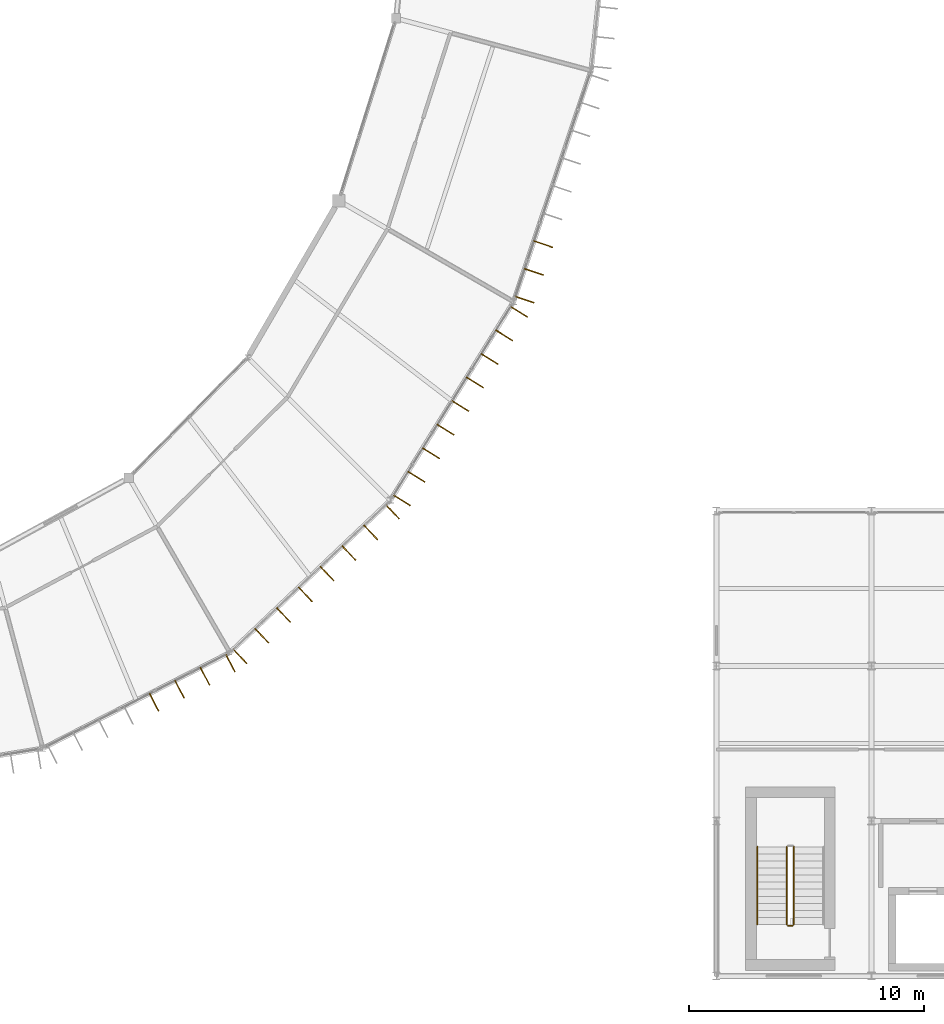
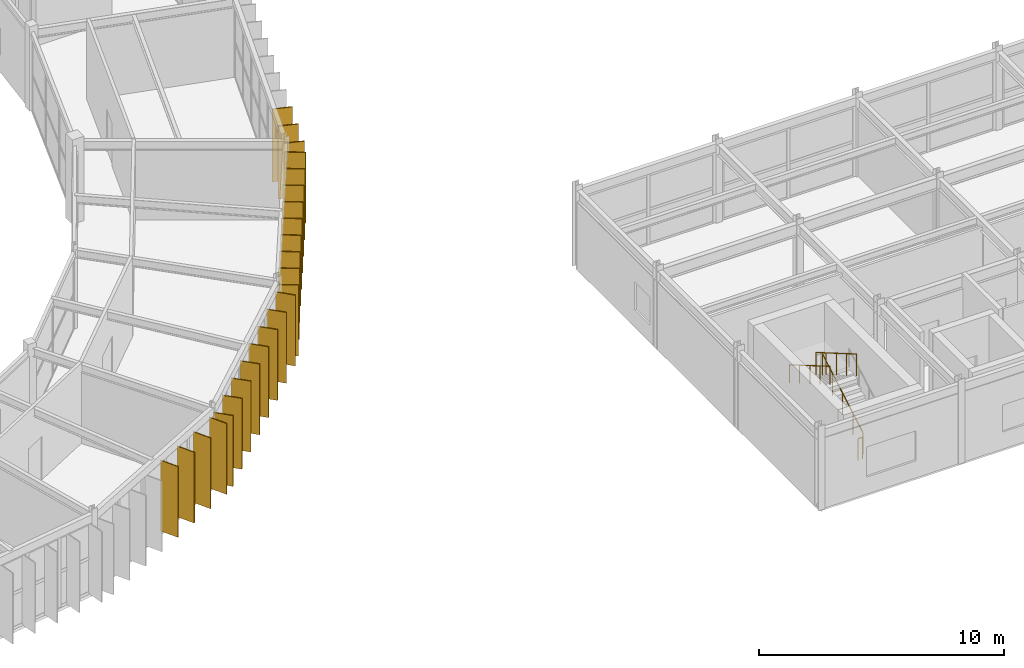
# One storey, part 100 of 106: 24 shading devices, 4 railings.
"""IFC4 building model written with IfcOpenShell, lengths in metres."""

from ifc_helpers import new_model, si_unit, direction, frame, origin, origin_2d, place, context, subcontext, project, spatial, rectangle, circle, extrude, material, layer, layer_set, type_object, element, save


model = new_model("IFC4")

# Units and contexts
model_context = context("Model", 3, precision=1e-05, world=origin(), true_north=direction((0.0, 1.0)))
body_context = subcontext(model_context, "Body", "Model", "MODEL_VIEW")
ifc_project = project(units=[si_unit("LENGTHUNIT", "METRE"), si_unit("AREAUNIT", "SQUARE_METRE"), si_unit("VOLUMEUNIT", "CUBIC_METRE"), si_unit("PLANEANGLEUNIT", "RADIAN"), si_unit("MASSUNIT", "GRAM", prefix="KILO")], contexts=[model_context])

# Site, building, storey
site_placement = place(None, origin())
site = spatial("IfcSite", under=ifc_project, at=site_placement, CompositionType="ELEMENT")
building_placement = place(site_placement, origin())
building = spatial("IfcBuilding", under=site, at=building_placement, Name="Karori Crest Natural Sciences Institute", CompositionType="ELEMENT")
storey_placement = place(building_placement, frame((0.0, 0.0, 25.89990234375)))
storey = spatial("IfcBuildingStorey", under=building, at=storey_placement, Name="L06", CompositionType="ELEMENT", Elevation=25.89990234375)

# Railings
ifc_material_1 = material(Name="Stainless steel 316 tubular handrail", Category="steel")
railing_type_1 = type_object("IfcRailingType", Name="RLT-HND", PredefinedType="HANDRAIL", material=ifc_material_1)
railing_1_placement = place(storey_placement, frame((105.35009765625, 6.300048828125, 2.275146484375)))
element("IfcRailing", 1, at=railing_1_placement, inside=storey, type_object=railing_type_1, Name="Stair handrail RL-0140", PredefinedType="HANDRAIL", context=body_context, shape_type="SweptSolid", body=[
    extrude(circle(Radius=0.02392578125, at=origin_2d()), frame((0.0, 0.0, 0.90087890625), z_axis=(0.0, -0.863776583165, 0.503874998761), x_axis=(1.0, 0.0, 0.0)), (0.0, 0.0, 1.0), 3.820556640625),
    extrude(circle(Radius=0.02099609375, at=origin_2d()), origin(), (0.0, 0.0, 1.0), 0.876953125),
    extrude(circle(Radius=0.02099609375, at=origin_2d()), frame((0.0, -0.824951171875, 0.481201171875)), (0.0, 0.0, 1.0), 0.876953125),
    extrude(circle(Radius=0.02099609375, at=origin_2d()), frame((0.0, -1.64990234375, 0.96240234375)), (0.0, 0.0, 1.0), 0.876953125),
    extrude(circle(Radius=0.02099609375, at=origin_2d()), frame((0.0, -2.47509765625, 1.44384765625)), (0.0, 0.0, 1.0), 0.876953125),
    extrude(circle(Radius=0.02099609375, at=origin_2d()), frame((0.0, -3.300048828125, 1.925048828125)), (0.0, 0.0, 1.0), 0.876953125),
])
ifc_material_2 = material(Name="Stainless steel 316 stair guard", Category="steel")
railing_type_2 = type_object("IfcRailingType", Name="RLT-STG", PredefinedType="GUARDRAIL", material=ifc_material_2)
railing_2_placement = place(storey_placement, frame((106.89990234375, 3.0, 0.175048828125)))
element("IfcRailing", 2, at=railing_2_placement, inside=storey, type_object=railing_type_2, Name="Stair guard RL-0135", PredefinedType="GUARDRAIL", context=body_context, shape_type="SweptSolid", body=[
    extrude(circle(Radius=0.02392578125, at=origin_2d()), frame((0.0, 0.0, 1.076171875), z_axis=(0.0, 0.863776583165, 0.503874998761), x_axis=(-1.0, 0.0, 0.0)), (0.0, 0.0, 1.0), 3.820556640625),
    extrude(circle(Radius=0.02099609375, at=origin_2d()), origin(), (0.0, 0.0, 1.0), 1.052001953125),
    extrude(circle(Radius=0.02099609375, at=origin_2d()), frame((0.0, 0.824951171875, 0.481201171875)), (0.0, 0.0, 1.0), 1.052001953125),
    extrude(circle(Radius=0.02099609375, at=origin_2d()), frame((0.0, 1.64990234375, 0.96240234375)), (0.0, 0.0, 1.0), 1.052001953125),
    extrude(circle(Radius=0.02099609375, at=origin_2d()), frame((0.0, 2.47509765625, 1.44384765625)), (0.0, 0.0, 1.0), 1.052001953125),
    extrude(circle(Radius=0.02099609375, at=origin_2d()), frame((0.0, 3.300048828125, 1.925048828125)), (0.0, 0.0, 1.0), 1.052001953125),
])
railing_3_placement = place(storey_placement, frame((106.60009765625, 6.300048828125, 2.275146484375)))
element("IfcRailing", 3, at=railing_3_placement, inside=storey, type_object=railing_type_2, Name="Stair guard RL-0137", PredefinedType="GUARDRAIL", context=body_context, shape_type="SweptSolid", body=[
    extrude(circle(Radius=0.02392578125, at=origin_2d()), frame((0.0, 0.0, 1.076171875), z_axis=(0.0, -0.863776583165, 0.503874998761), x_axis=(1.0, 0.0, 0.0)), (0.0, 0.0, 1.0), 3.820556640625),
    extrude(circle(Radius=0.02099609375, at=origin_2d()), origin(), (0.0, 0.0, 1.0), 1.052001953125),
    extrude(circle(Radius=0.02099609375, at=origin_2d()), frame((0.0, -0.824951171875, 0.481201171875)), (0.0, 0.0, 1.0), 1.052001953125),
    extrude(circle(Radius=0.02099609375, at=origin_2d()), frame((0.0, -1.64990234375, 0.96240234375)), (0.0, 0.0, 1.0), 1.052001953125),
    extrude(circle(Radius=0.02099609375, at=origin_2d()), frame((0.0, -2.47509765625, 1.44384765625)), (0.0, 0.0, 1.0), 1.052001953125),
    extrude(circle(Radius=0.02099609375, at=origin_2d()), frame((0.0, -3.300048828125, 1.925048828125)), (0.0, 0.0, 1.0), 1.052001953125),
])
railing_4_placement = place(storey_placement, frame((106.85009765625, 2.949951171875, 0.0)))
element("IfcRailing", 4, at=railing_4_placement, inside=storey, type_object=railing_type_2, Name="Stair guard RL-0138", PredefinedType="GUARDRAIL", context=body_context, shape_type="SweptSolid", body=[
    extrude(circle(Radius=0.02392578125, at=origin_2d()), frame((0.0, 0.0, 1.076171875), z_axis=(-1.0, 0.0, 0.0), x_axis=(0.0, -1.0, 0.0)), (0.0, 0.0, 1.0), 0.2001953125),
    extrude(circle(Radius=0.02099609375, at=origin_2d()), origin(), (0.0, 0.0, 1.0), 1.052001953125),
    extrude(circle(Radius=0.02099609375, at=origin_2d()), frame((-0.2001953125, 0.0, 0.0)), (0.0, 0.0, 1.0), 1.052001953125),
])

# Shading devices
ifc_material_3 = material(Name="Anodised architectural aluminium 6063-T6", Category="aluminium")
ifc_layer = layer(ifc_material_3, 0.044921875, Name="Anodised architectural aluminium 6063-T6")
ifc_layer_set = layer_set([ifc_layer], Name="Anodised architectural aluminium 6063-T6")
shading_device_type = type_object("IfcShadingDeviceType", Name="SDT-FIN", PredefinedType="USERDEFINED", material=ifc_layer_set)
for number, where, z_axis, x_axis, name in (
    (5, (82.922607421875, 14.1171875, 0.000244140625), (0.0, 0.0, 1.0), (0.455829213737, -0.890067260326, 0.0), "Vertical solar fin FN-1045"),
    (6, (81.839599609375, 13.5625, 0.000244140625), (0.0, 0.0, 1.0), (0.455829213737, -0.890067260326, 0.0), "Vertical solar fin FN-1046"),
    (7, (80.7568359375, 13.008056640625, 0.000244140625), (0.0, 0.0, 1.0), (0.455829213737, -0.890067260326, 0.0), "Vertical solar fin FN-1047"),
    (8, (79.673828125, 12.453369140625, 0.000244140625), (0.0, 0.0, 1.0), (0.455829213737, -0.890067260326, 0.0), "Vertical solar fin FN-1048"),
    (9, (89.817626953125, 20.563720703125, 0.000244140625), (0.0, 0.0, 1.0), (0.688250755242, -0.725472878824, 0.0), "Vertical solar fin FN-1053"),
    (10, (88.890869140625, 19.6845703125, 0.000244140625), (0.0, 0.0, 1.0), (0.688250755242, -0.725472878824, 0.0), "Vertical solar fin FN-1054"),
    (11, (87.964111328125, 18.805419921875, 0.000244140625), (0.0, 0.0, 1.0), (0.688250755242, -0.725472878824, 0.0), "Vertical solar fin FN-1055"),
    (12, (87.037353515625, 17.926025390625, 0.000244140625), (0.0, 0.0, 1.0), (0.688250755242, -0.725472878824, 0.0), "Vertical solar fin FN-1056"),
    (13, (86.110595703125, 17.046875, 0.000244140625), (0.0, 0.0, 1.0), (0.688250755242, -0.725472878824, 0.0), "Vertical solar fin FN-1057"),
    (14, (85.183837890625, 16.16748046875, 0.000244140625), (0.0, 0.0, 1.0), (0.688250755242, -0.725472878824, 0.0), "Vertical solar fin FN-1058"),
    (15, (84.257080078125, 15.288330078125, 0.000244140625), (0.0, 0.0, 1.0), (0.688250755242, -0.725472878824, 0.0), "Vertical solar fin FN-1059"),
    (16, (83.330078125, 14.4091796875, 0.000244140625), (0.0, 0.0, 1.0), (0.688250755242, -0.725472878824, 0.0), "Vertical solar fin FN-1060"),
    (17, (95.196533203125, 29.073486328125, 0.000244140625), (0.0, 0.0, 1.0), (0.849664524961, -0.527323615081, 0.0), "Vertical solar fin FN-1061"),
    (18, (94.573974609375, 28.0703125, 0.000244140625), (0.0, 0.0, 1.0), (0.849664524961, -0.527323615081, 0.0), "Vertical solar fin FN-1062"),
    (19, (93.951416015625, 27.06689453125, 0.000244140625), (0.0, 0.0, 1.0), (0.849664524961, -0.527323615081, 0.0), "Vertical solar fin FN-1063"),
    (20, (93.32861328125, 26.063720703125, 0.000244140625), (0.0, 0.0, 1.0), (0.849664524961, -0.527323615081, 0.0), "Vertical solar fin FN-1064"),
    (21, (92.705810546875, 25.060302734375, 0.000244140625), (0.0, 0.0, 1.0), (0.849664524961, -0.527323615081, 0.0), "Vertical solar fin FN-1065"),
    (22, (92.083251953125, 24.056884765625, 0.000244140625), (0.0, 0.0, 1.0), (0.849664524961, -0.527323615081, 0.0), "Vertical solar fin FN-1066"),
    (23, (91.460693359375, 23.0537109375, 0.000244140625), (0.0, 0.0, 1.0), (0.849664524961, -0.527323615081, 0.0), "Vertical solar fin FN-1067"),
    (24, (90.837890625, 22.05029296875, 0.000244140625), (0.0, 0.0, 1.0), (0.849664524961, -0.527323615081, 0.0), "Vertical solar fin FN-1068"),
    (25, (90.215087890625, 21.047119140625, 0.000244140625), (0.0, 0.0, 1.0), (0.849664524961, -0.527323615081, 0.0), "Vertical solar fin FN-1069"),
):
    element("IfcShadingDevice", number, at=place(storey_placement, frame(where, z_axis=z_axis, x_axis=x_axis)), inside=storey, type_object=shading_device_type, Name=name, ObjectType="SOLAR_FIN", PredefinedType="USERDEFINED", context=body_context, shape_type="SweptSolid", body=[
        extrude(rectangle(XDim=0.85009765625, YDim=0.044921875, at=origin_2d()), origin(), (0.0, 0.0, 1.0), 3.52490234375),
    ])
for number, where, z_axis, x_axis, name in (
    (26, (96.232421875, 31.951416015625, 0.0), (0.0, 0.0, 1.0), (0.948197867933, -0.317680347595, 0.0), "Vertical solar fin FN-1076"),
    (27, (95.8369140625, 30.7705078125, 0.0), (0.0, 0.0, 1.0), (0.948197867933, -0.317680347595, 0.0), "Vertical solar fin FN-1077"),
    (28, (95.441162109375, 29.589599609375, 0.0), (0.0, 0.0, 1.0), (0.948197867933, -0.317680347595, 0.0), "Vertical solar fin FN-1078"),
):
    element("IfcShadingDevice", number, at=place(storey_placement, frame(where, z_axis=z_axis, x_axis=x_axis)), inside=storey, type_object=shading_device_type, Name=name, ObjectType="SOLAR_FIN", PredefinedType="USERDEFINED", context=body_context, shape_type="SweptSolid", body=[
        extrude(rectangle(XDim=0.85009765625, YDim=0.044921875, at=origin_2d()), origin(), (0.0, 0.0, 1.0), 3.625),
    ])

save(model, "model.ifc")
